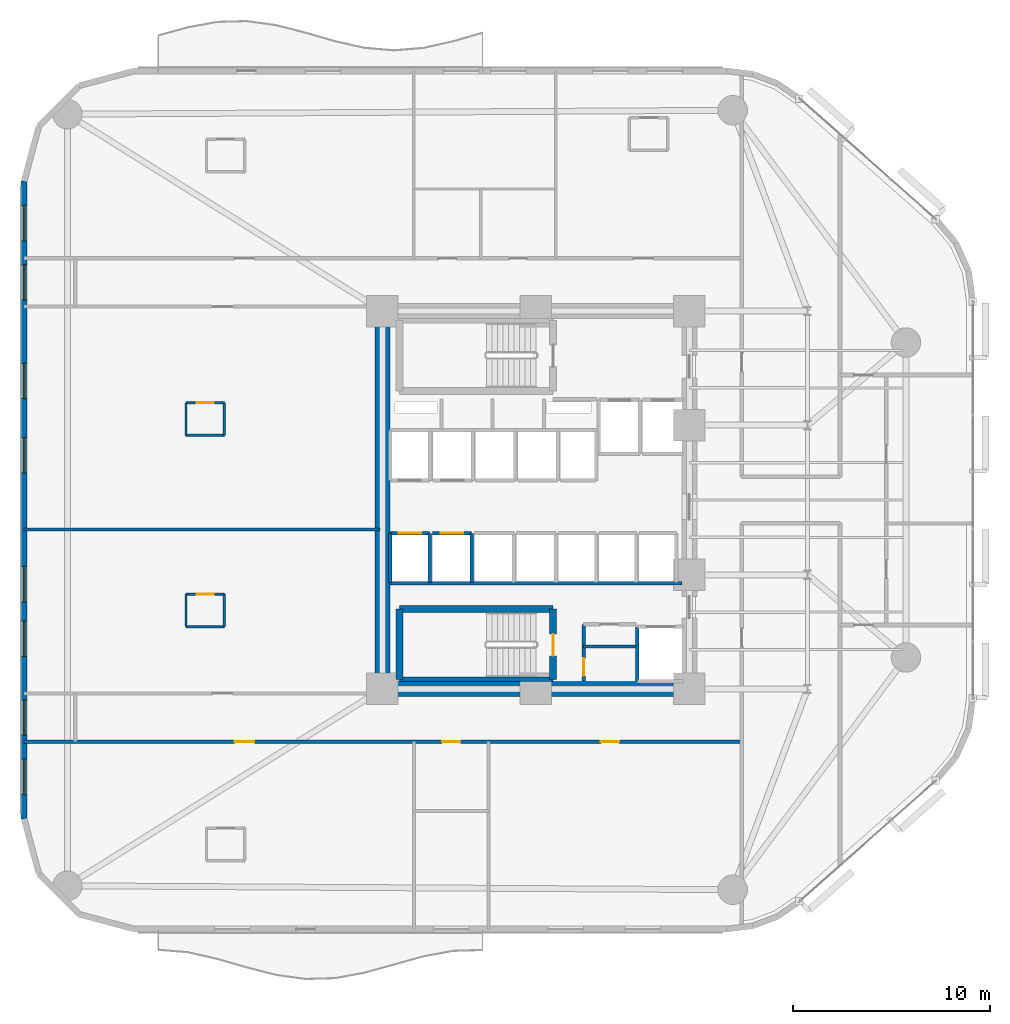
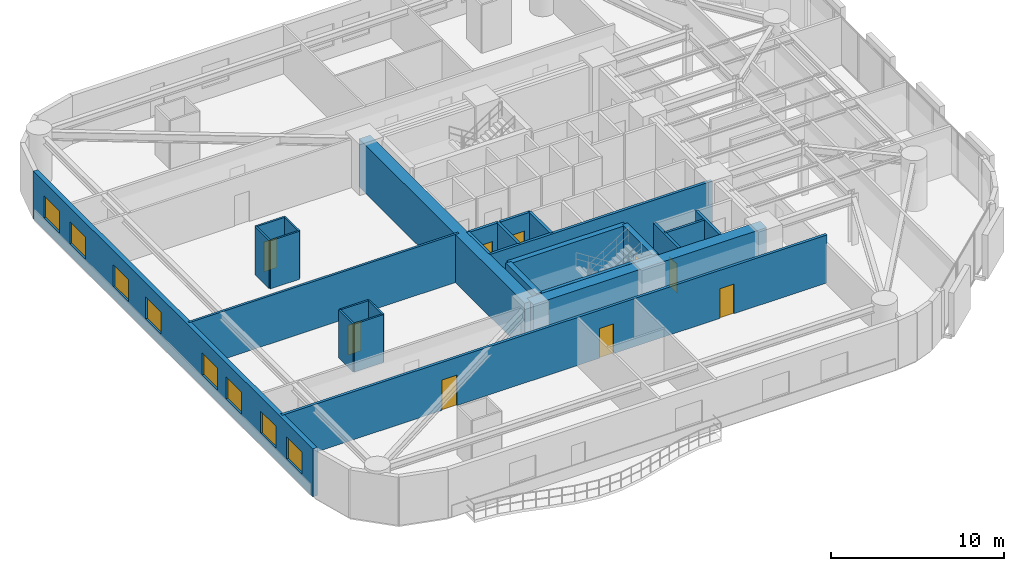
# One storey, part 10 of 16: 26 walls, 9 doors, 8 windows, 17 openings.
"""IFC4 building model written with IfcOpenShell, lengths in metres."""

from ifc_helpers import new_model, si_unit, direction, frame, frame_2d, origin, place, context, subcontext, project, spatial, rectangle, extrude, material, layer, layer_set, type_object, element, fill, save


model = new_model("IFC4")

# Units and contexts
model_context = context("Model", 3, precision=1e-05, world=origin(), true_north=direction((0.0, 1.0)))
body_context = subcontext(model_context, "Body", "Model", "MODEL_VIEW")
ifc_project = project(units=[si_unit("LENGTHUNIT", "METRE"), si_unit("AREAUNIT", "SQUARE_METRE"), si_unit("VOLUMEUNIT", "CUBIC_METRE"), si_unit("PLANEANGLEUNIT", "RADIAN"), si_unit("MASSUNIT", "GRAM", prefix="KILO")], contexts=[model_context])

# Site, building, storey
site_placement = place(None, origin())
site = spatial("IfcSite", under=ifc_project, at=site_placement, CompositionType="ELEMENT")
building_placement = place(site_placement, origin())
building = spatial("IfcBuilding", under=site, at=building_placement, Name="An Khanh Terracotta Commons", CompositionType="ELEMENT")
storey_placement = place(building_placement, frame((0.0, 0.0, 54.0)))
storey = spatial("IfcBuildingStorey", under=building, at=storey_placement, Name="L14", CompositionType="ELEMENT", Elevation=54.0)

# Walls
ifc_material_1 = material(Name="Concrete C70/85", Category="concrete")
ifc_layer_1 = layer(ifc_material_1, 0.75, Name="Concrete C70/85")
ifc_layer_set_1 = layer_set([ifc_layer_1], Name="Concrete C70/85")
wall_type_1 = type_object("IfcWallType", Name="WALL-CORE-750", PredefinedType="SHEAR", material=ifc_layer_set_1)
wall_1_placement = place(storey_placement, frame((21.60009765625, 14.39990234375, 0.0), z_axis=(0.0, 0.0, 1.0), x_axis=(0.0, 1.0, 0.0)))
element("IfcWall", 1, at=wall_1_placement, inside=storey, type_object=wall_type_1, Name="L14 Core Wall CWALL-L14-W", PredefinedType="SHEAR", context=body_context, shape_type="SweptSolid", body=[
    extrude(rectangle(XDim=19.2001953125, YDim=0.75, at=frame_2d((9.60009765625, 0.0))), origin(), (0.0, 0.0, 1.0), 3.39990234375),
])
wall_2_placement = place(storey_placement, frame((37.199951171875, 14.39990234375, 0.0), z_axis=(0.0, 0.0, 1.0), x_axis=(-1.0, 0.0, 0.0)))
element("IfcWall", 2, at=wall_2_placement, inside=storey, type_object=wall_type_1, Name="L14 Core Wall CWALL-L14-S", PredefinedType="SHEAR", context=body_context, shape_type="SweptSolid", body=[
    extrude(rectangle(XDim=15.599853515625, YDim=0.75, at=frame_2d((7.7998046875, 0.0))), origin(), (0.0, 0.0, 1.0), 3.39990234375),
])
ifc_material_2 = material(Name="Fire-Rated Gypsum Board on Steel Stud", Category="steel")
ifc_layer_2 = layer(ifc_material_2, 0.179931640625, Name="Fire-Rated Gypsum Board on Steel Stud")
ifc_layer_set_2 = layer_set([ifc_layer_2], Name="Fire-Rated Gypsum Board on Steel Stud")
wall_type_2 = type_object("IfcWallType", Name="WALL-CORR-180", PredefinedType="PARTITIONING", material=ifc_layer_set_2)
wall_3_placement = place(storey_placement, frame((21.949951171875, 19.760009765625, 0.0), z_axis=(0.0, 0.0, 1.0), x_axis=(1.0, 0.0, 0.0)))
element("IfcWall", 3, at=wall_3_placement, inside=storey, type_object=wall_type_2, Name="L14 Core Wall SVW-L14-N", PredefinedType="PARTITIONING", context=body_context, shape_type="SweptSolid", body=[
    extrude(rectangle(XDim=14.8701171875, YDim=0.179931640625, at=frame_2d((7.43505859375, 0.0))), origin(), (0.0, 0.0, 1.0), 3.39990234375),
])

# Wall, opening, door
wall_4_placement = place(storey_placement, frame((31.820068359375, 14.800048828125, 0.0), z_axis=(0.0, 0.0, 1.0), x_axis=(0.0, 1.0, 0.0)))
wall_4 = element("IfcWall", 4, at=wall_4_placement, inside=storey, type_object=wall_type_2, Name="L14 Core Wall SSVCW-L14-W", PredefinedType="PARTITIONING", context=body_context, shape_type="SweptSolid", body=[
    extrude(rectangle(XDim=2.8798828125, YDim=0.179931640625, at=frame_2d((1.43994140625, 0.0))), origin(), (0.0, 0.0, 1.0), 3.39990234375),
])
opening_1_placement = place(wall_4_placement, frame((0.260009765625, 0.0, 0.0)))
opening_1 = element("IfcOpeningElement", 5, at=opening_1_placement, cuts=wall_4, Name="Opening D-SV", PredefinedType="OPENING", context=body_context, shape_type="SweptSolid", body=[
    extrude(rectangle(XDim=0.89990234375, YDim=2.050048828125, at=frame_2d((0.449951171875, 1.02490234375))), frame((0.0, 0.099853515625, 0.0), z_axis=(0.0, -1.0, 0.0), x_axis=(1.0, 0.0, 0.0)), (0.0, 0.0, 1.0), 0.199951171875),
])
ifc_material_3 = material(Name="Fire-Rated Powder-Coated Steel Door", Category="steel")
door_type_1 = type_object("IfcDoorType", Name="DOOR-SERV-900", OperationType="NOTDEFINED", PredefinedType="DOOR", material=ifc_material_3)
door_1_placement = place(opening_1_placement, origin())
door_1 = element("IfcDoor", 6, at=door_1_placement, inside=storey, type_object=door_type_1, Name="L14 Telecoms BMS Cupboard Door", OperationType="SINGLE_SWING_LEFT", OverallHeight=2.050048828125, OverallWidth=0.89990234375, PredefinedType="DOOR", context=body_context, shape_type="SweptSolid", body=[
    extrude(rectangle(XDim=0.89990234375, YDim=2.050048828125, at=frame_2d((0.449951171875, 1.02490234375))), frame((0.0, 0.02490234375, 0.0), z_axis=(0.0, -1.0, 0.0), x_axis=(1.0, 0.0, 0.0)), (0.0, 0.0, 1.0), 0.050048828125),
])
fill(opening_1, door_1)

# Wall
wall_5_placement = place(storey_placement, frame((34.550048828125, 17.550048828125, 0.0), z_axis=(0.0, 0.0, 1.0), x_axis=(0.0, -1.0, 0.0)))
element("IfcWall", 7, at=wall_5_placement, inside=storey, type_object=wall_type_2, Name="L14 Core Wall LSH-L14-SVL-01-W", PredefinedType="PARTITIONING", context=body_context, shape_type="SweptSolid", body=[
    extrude(rectangle(XDim=2.75, YDim=0.179931640625, at=frame_2d((1.375, 0.0))), origin(), (0.0, 0.0, 1.0), 3.39990234375),
])

# Wall, opening, door
wall_6_placement = place(storey_placement, frame((22.0, 22.300048828125, 0.0), z_axis=(0.0, 0.0, 1.0), x_axis=(1.0, 0.0, 0.0)))
wall_6 = element("IfcWall", 8, at=wall_6_placement, inside=storey, type_object=wall_type_2, Name="L14 Core Wall LSH-L14-PL-L3-N", PredefinedType="PARTITIONING", context=body_context, shape_type="SweptSolid", body=[
    extrude(rectangle(XDim=2.0, YDim=0.179931640625, at=frame_2d((1.0, 0.0))), origin(), (0.0, 0.0, 1.0), 3.39990234375),
])
opening_2_placement = place(wall_6_placement, frame((0.425048828125, 0.0, 0.0)))
opening_2 = element("IfcOpeningElement", 9, at=opening_2_placement, cuts=wall_6, Name="Opening LD-PL-L3-L14", PredefinedType="OPENING", context=body_context, shape_type="SweptSolid", body=[
    extrude(rectangle(XDim=1.14990234375, YDim=2.199951171875, at=frame_2d((0.574951171875, 1.10009765625))), frame((0.0, 0.099853515625, 0.0), z_axis=(0.0, -1.0, 0.0), x_axis=(1.0, 0.0, 0.0)), (0.0, 0.0, 1.0), 0.199951171875),
])
ifc_material_4 = material(Name="Brushed Stainless Steel Passenger Landing Door", Category="steel")
door_type_2 = type_object("IfcDoorType", Name="DOOR-LD-PAX-1150", OperationType="NOTDEFINED", PredefinedType="DOOR", material=ifc_material_4)
door_2_placement = place(opening_2_placement, origin())
door_2 = element("IfcDoor", 10, at=door_2_placement, inside=storey, type_object=door_type_2, Name="L14 Lift PL-L3 Sliding Landing Door", OperationType="DOUBLE_DOOR_SLIDING", OverallHeight=2.199951171875, OverallWidth=1.14990234375, PredefinedType="DOOR", context=body_context, shape_type="SweptSolid", body=[
    extrude(rectangle(XDim=1.14990234375, YDim=2.199951171875, at=frame_2d((0.574951171875, 1.10009765625))), frame((0.0, 0.02490234375, 0.0), z_axis=(0.0, -1.0, 0.0), x_axis=(1.0, 0.0, 0.0)), (0.0, 0.0, 1.0), 0.050048828125),
])
fill(opening_2, door_2)

# Walls
for number, where, z_axis, x_axis, name in (
    (11, (24.0, 19.800048828125, 0.0), (0.0, 0.0, 1.0), (0.0, 1.0, 0.0), "L14 Core Wall LSH-L14-PL-L3-E"),
    (12, (22.0, 22.300048828125, 0.0), (0.0, 0.0, 1.0), (0.0, -1.0, 0.0), "L14 Core Wall LSH-L14-PL-L3-W"),
):
    element("IfcWall", number, at=place(storey_placement, frame(where, z_axis=z_axis, x_axis=x_axis)), inside=storey, type_object=wall_type_2, Name=name, PredefinedType="PARTITIONING", context=body_context, shape_type="SweptSolid", body=[
        extrude(rectangle(XDim=2.5, YDim=0.179931640625, at=frame_2d((1.25, 0.0))), origin(), (0.0, 0.0, 1.0), 3.39990234375),
    ])

# Wall, opening, door
wall_7_placement = place(storey_placement, frame((24.139892578125, 22.300048828125, 0.0), z_axis=(0.0, 0.0, 1.0), x_axis=(1.0, 0.0, 0.0)))
wall_7 = element("IfcWall", 13, at=wall_7_placement, inside=storey, type_object=wall_type_2, Name="L14 Core Wall LSH-L14-PL-L4-N", PredefinedType="PARTITIONING", context=body_context, shape_type="SweptSolid", body=[
    extrude(rectangle(XDim=2.0, YDim=0.179931640625, at=frame_2d((1.0, 0.0))), origin(), (0.0, 0.0, 1.0), 3.39990234375),
])
opening_3_placement = place(wall_7_placement, frame((0.425048828125, 0.0, 0.0)))
opening_3 = element("IfcOpeningElement", 14, at=opening_3_placement, cuts=wall_7, Name="Opening LD-PL-L4-L14", PredefinedType="OPENING", context=body_context, shape_type="SweptSolid", body=[
    extrude(rectangle(XDim=1.14990234375, YDim=2.199951171875, at=frame_2d((0.574951171875, 1.10009765625))), frame((0.0, 0.099853515625, 0.0), z_axis=(0.0, -1.0, 0.0), x_axis=(1.0, 0.0, 0.0)), (0.0, 0.0, 1.0), 0.199951171875),
])
door_3_placement = place(opening_3_placement, origin())
door_3 = element("IfcDoor", 15, at=door_3_placement, inside=storey, type_object=door_type_2, Name="L14 Lift PL-L4 Sliding Landing Door", OperationType="DOUBLE_DOOR_SLIDING", OverallHeight=2.199951171875, OverallWidth=1.14990234375, PredefinedType="DOOR", context=body_context, shape_type="SweptSolid", body=[
    extrude(rectangle(XDim=1.14990234375, YDim=2.199951171875, at=frame_2d((0.574951171875, 1.10009765625))), frame((0.0, 0.02490234375, 0.0), z_axis=(0.0, -1.0, 0.0), x_axis=(1.0, 0.0, 0.0)), (0.0, 0.0, 1.0), 0.050048828125),
])
fill(opening_3, door_3)

# Wall
wall_8_placement = place(storey_placement, frame((26.139892578125, 19.800048828125, 0.0), z_axis=(0.0, 0.0, 1.0), x_axis=(0.0, 1.0, 0.0)))
element("IfcWall", 16, at=wall_8_placement, inside=storey, type_object=wall_type_2, Name="L14 Core Wall LSH-L14-PL-L4-E", PredefinedType="PARTITIONING", context=body_context, shape_type="SweptSolid", body=[
    extrude(rectangle(XDim=2.5, YDim=0.179931640625, at=frame_2d((1.25, 0.0))), origin(), (0.0, 0.0, 1.0), 3.39990234375),
])

# Wall, openings, doors
wall_9_placement = place(storey_placement, frame((3.39990234375, 11.719970703125, 0.0), z_axis=(0.0, 0.0, 1.0), x_axis=(1.0, 0.0, 0.0)))
wall_9 = element("IfcWall", 17, at=wall_9_placement, inside=storey, type_object=wall_type_2, Name="L14 Interior Partition IW-L14-E002", PredefinedType="PARTITIONING", context=body_context, shape_type="SweptSolid", body=[
    extrude(rectangle(XDim=36.4501953125, YDim=0.179931640625, at=frame_2d((18.22509765625, 0.0))), origin(), (0.0, 0.0, 1.0), 3.39990234375),
])
opening_4_placement = place(wall_9_placement, frame((21.239990234375, 0.0, 0.0)))
opening_4 = element("IfcOpeningElement", 18, at=opening_4_placement, cuts=wall_9, Name="Opening D-RM", PredefinedType="OPENING", context=body_context, shape_type="SweptSolid", body=[
    extrude(rectangle(XDim=0.919921875, YDim=2.10009765625, at=frame_2d((0.4599609375, 1.050048828125))), frame((0.0, 0.099853515625, 0.0), z_axis=(0.0, -1.0, 0.0), x_axis=(1.0, 0.0, 0.0)), (0.0, 0.0, 1.0), 0.199951171875),
])
opening_5_placement = place(wall_9_placement, frame((10.699951171875, 0.0, 0.0)))
opening_5 = element("IfcOpeningElement", 19, at=opening_5_placement, cuts=wall_9, Name="Opening D-UN", PredefinedType="OPENING", context=body_context, shape_type="SweptSolid", body=[
    extrude(rectangle(XDim=1.0, YDim=2.14990234375, at=frame_2d((0.5, 1.074951171875))), frame((0.0, 0.099853515625, 0.0), z_axis=(0.0, -1.0, 0.0), x_axis=(1.0, 0.0, 0.0)), (0.0, 0.0, 1.0), 0.199951171875),
])
opening_6_placement = place(wall_9_placement, frame((29.304931640625, 0.0, 0.0)))
opening_6 = element("IfcOpeningElement", 20, at=opening_6_placement, cuts=wall_9, Name="Opening D-RM", PredefinedType="OPENING", context=body_context, shape_type="SweptSolid", body=[
    extrude(rectangle(XDim=0.919921875, YDim=2.10009765625, at=frame_2d((0.4599609375, 1.050048828125))), frame((0.0, 0.099853515625, 0.0), z_axis=(0.0, -1.0, 0.0), x_axis=(1.0, 0.0, 0.0)), (0.0, 0.0, 1.0), 0.199951171875),
])
ifc_material_5 = material(Name="Engineered Hardwood Timber Leaf", Category="wood")
door_type_3 = type_object("IfcDoorType", Name="DOOR-INT-920", OperationType="NOTDEFINED", PredefinedType="DOOR", material=ifc_material_5)
door_4_placement = place(opening_4_placement, origin())
door_4 = element("IfcDoor", 21, at=door_4_placement, inside=storey, type_object=door_type_3, Name="L14 HKP Housekeeping Linen Store Door", OperationType="SINGLE_SWING_LEFT", OverallHeight=2.10009765625, OverallWidth=0.919921875, PredefinedType="DOOR", context=body_context, shape_type="SweptSolid", body=[
    extrude(rectangle(XDim=0.919921875, YDim=2.10009765625, at=frame_2d((0.4599609375, 1.050048828125))), frame((0.0, 0.02490234375, 0.0), z_axis=(0.0, -1.0, 0.0), x_axis=(1.0, 0.0, 0.0)), (0.0, 0.0, 1.0), 0.050048828125),
])
fill(opening_4, door_4)
door_5_placement = place(opening_6_placement, origin())
door_5 = element("IfcDoor", 22, at=door_5_placement, inside=storey, type_object=door_type_3, Name="L14 SWE Communal Kitchen and Dining Door", OperationType="SINGLE_SWING_LEFT", OverallHeight=2.10009765625, OverallWidth=0.919921875, PredefinedType="DOOR", context=body_context, shape_type="SweptSolid", body=[
    extrude(rectangle(XDim=0.919921875, YDim=2.10009765625, at=frame_2d((0.4599609375, 1.050048828125))), frame((0.0, 0.02490234375, 0.0), z_axis=(0.0, -1.0, 0.0), x_axis=(1.0, 0.0, 0.0)), (0.0, 0.0, 1.0), 0.050048828125),
])
fill(opening_6, door_5)
ifc_material_6 = material(Name="Solid-Core Hardwood Acoustic Fire Door", Category="wood")
door_type_4 = type_object("IfcDoorType", Name="DOOR-UNIT-1000", OperationType="NOTDEFINED", PredefinedType="DOOR", material=ifc_material_6)
door_6_placement = place(opening_5_placement, origin())
door_6 = element("IfcDoor", 23, at=door_6_placement, inside=storey, type_object=door_type_4, Name="L14 SW1 Kitchenette and Studio Apartment Door", OperationType="SINGLE_SWING_RIGHT", OverallHeight=2.14990234375, OverallWidth=1.0, PredefinedType="DOOR", context=body_context, shape_type="SweptSolid", body=[
    extrude(rectangle(XDim=1.0, YDim=2.14990234375, at=frame_2d((0.5, 1.074951171875))), frame((0.0, 0.02490234375, 0.0), z_axis=(0.0, -1.0, 0.0), x_axis=(1.0, 0.0, 0.0)), (0.0, 0.0, 1.0), 0.050048828125),
])
fill(opening_5, door_6)

# Wall, openings, windows
ifc_material_7 = material(Name="Precast concrete C40/50", Category="concrete")
ifc_layer_3 = layer(ifc_material_7, 0.300048828125, Name="Precast concrete C40/50")
ifc_layer_set_3 = layer_set([ifc_layer_3], Name="Precast concrete C40/50")
wall_type_3 = type_object("IfcWallType", Name="WALL-EXT-300", PredefinedType="SOLIDWALL", material=ifc_layer_set_3)
wall_10_placement = place(storey_placement, frame((3.39990234375, 40.199951171875, 0.0), z_axis=(0.0, 0.0, 1.0), x_axis=(0.0, -1.0, 0.0)))
wall_10 = element("IfcWall", 24, at=wall_10_placement, inside=storey, type_object=wall_type_3, Name="L14 Insulated Terracotta Exterior Wall 24", PredefinedType="SOLIDWALL", context=body_context, shape_type="SweptSolid", body=[
    extrude(rectangle(XDim=32.39990234375, YDim=0.300048828125, at=frame_2d((16.199951171875, 0.0))), origin(), (0.0, 0.0, 1.0), 3.39990234375),
])
opening_7_placement = place(wall_10_placement, frame((1.235107421875, 0.0, 0.85009765625)))
opening_7 = element("IfcOpeningElement", 25, at=opening_7_placement, cuts=wall_10, Name="Opening W-01", PredefinedType="OPENING", context=body_context, shape_type="SweptSolid", body=[
    extrude(rectangle(XDim=1.800048828125, YDim=1.550048828125, at=frame_2d((0.89990234375, 0.77490234375))), frame((0.0, 0.159912109375, 0.0), z_axis=(0.0, -1.0, 0.0), x_axis=(1.0, 0.0, 0.0)), (0.0, 0.0, 1.0), 0.320068359375),
])
opening_8_placement = place(wall_10_placement, frame((4.25, 0.0, 0.85009765625)))
opening_8 = element("IfcOpeningElement", 26, at=opening_8_placement, cuts=wall_10, Name="Opening W-01", PredefinedType="OPENING", context=body_context, shape_type="SweptSolid", body=[
    extrude(rectangle(XDim=1.800048828125, YDim=1.550048828125, at=frame_2d((0.89990234375, 0.77490234375))), frame((0.0, 0.159912109375, 0.0), z_axis=(0.0, -1.0, 0.0), x_axis=(1.0, 0.0, 0.0)), (0.0, 0.0, 1.0), 0.320068359375),
])
opening_9_placement = place(wall_10_placement, frame((9.2529296875, 0.0, 0.85009765625)))
opening_9 = element("IfcOpeningElement", 27, at=opening_9_placement, cuts=wall_10, Name="Opening W-01", PredefinedType="OPENING", context=body_context, shape_type="SweptSolid", body=[
    extrude(rectangle(XDim=1.800048828125, YDim=1.550048828125, at=frame_2d((0.89990234375, 0.77490234375))), frame((0.0, 0.159912109375, 0.0), z_axis=(0.0, -1.0, 0.0), x_axis=(1.0, 0.0, 0.0)), (0.0, 0.0, 1.0), 0.320068359375),
])
opening_10_placement = place(wall_10_placement, frame((13.027099609375, 0.0, 0.85009765625)))
opening_10 = element("IfcOpeningElement", 28, at=opening_10_placement, cuts=wall_10, Name="Opening W-01", PredefinedType="OPENING", context=body_context, shape_type="SweptSolid", body=[
    extrude(rectangle(XDim=1.800048828125, YDim=1.550048828125, at=frame_2d((0.89990234375, 0.77490234375))), frame((0.0, 0.159912109375, 0.0), z_axis=(0.0, -1.0, 0.0), x_axis=(1.0, 0.0, 0.0)), (0.0, 0.0, 1.0), 0.320068359375),
])
opening_11_placement = place(wall_10_placement, frame((19.572998046875, 0.0, 0.85009765625)))
opening_11 = element("IfcOpeningElement", 29, at=opening_11_placement, cuts=wall_10, Name="Opening W-01", PredefinedType="OPENING", context=body_context, shape_type="SweptSolid", body=[
    extrude(rectangle(XDim=1.800048828125, YDim=1.550048828125, at=frame_2d((0.89990234375, 0.77490234375))), frame((0.0, 0.159912109375, 0.0), z_axis=(0.0, -1.0, 0.0), x_axis=(1.0, 0.0, 0.0)), (0.0, 0.0, 1.0), 0.320068359375),
])
opening_12_placement = place(wall_10_placement, frame((22.346923828125, 0.0, 0.85009765625)))
opening_12 = element("IfcOpeningElement", 30, at=opening_12_placement, cuts=wall_10, Name="Opening W-01", PredefinedType="OPENING", context=body_context, shape_type="SweptSolid", body=[
    extrude(rectangle(XDim=1.800048828125, YDim=1.550048828125, at=frame_2d((0.89990234375, 0.77490234375))), frame((0.0, 0.159912109375, 0.0), z_axis=(0.0, -1.0, 0.0), x_axis=(1.0, 0.0, 0.0)), (0.0, 0.0, 1.0), 0.320068359375),
])
opening_13_placement = place(wall_10_placement, frame((26.35009765625, 0.0, 0.85009765625)))
opening_13 = element("IfcOpeningElement", 31, at=opening_13_placement, cuts=wall_10, Name="Opening W-01", PredefinedType="OPENING", context=body_context, shape_type="SweptSolid", body=[
    extrude(rectangle(XDim=1.800048828125, YDim=1.550048828125, at=frame_2d((0.89990234375, 0.77490234375))), frame((0.0, 0.159912109375, 0.0), z_axis=(0.0, -1.0, 0.0), x_axis=(1.0, 0.0, 0.0)), (0.0, 0.0, 1.0), 0.320068359375),
])
opening_14_placement = place(wall_10_placement, frame((29.364990234375, 0.0, 0.85009765625)))
opening_14 = element("IfcOpeningElement", 32, at=opening_14_placement, cuts=wall_10, Name="Opening W-01", PredefinedType="OPENING", context=body_context, shape_type="SweptSolid", body=[
    extrude(rectangle(XDim=1.800048828125, YDim=1.550048828125, at=frame_2d((0.89990234375, 0.77490234375))), frame((0.0, 0.159912109375, 0.0), z_axis=(0.0, -1.0, 0.0), x_axis=(1.0, 0.0, 0.0)), (0.0, 0.0, 1.0), 0.320068359375),
])
ifc_material_8 = material(Name="Thermally Broken Aluminium and Low-E Glass", Category="aluminium")
window_type = type_object("IfcWindowType", Name="WIN-Z1-1800x1550", PartitioningType="DOUBLE_PANEL_VERTICAL", PredefinedType="WINDOW", material=ifc_material_8)
window_1_placement = place(opening_7_placement, origin())
window_1 = element("IfcWindow", 33, at=window_1_placement, inside=storey, type_object=window_type, Name="L14 Operable Casement Window 24.1", OverallHeight=1.550048828125, OverallWidth=1.800048828125, PartitioningType="DOUBLE_PANEL_VERTICAL", PredefinedType="WINDOW", context=body_context, shape_type="SweptSolid", body=[
    extrude(rectangle(XDim=1.800048828125, YDim=1.550048828125, at=frame_2d((0.89990234375, 0.77490234375))), frame((0.0, 0.030029296875, 0.0), z_axis=(0.0, -1.0, 0.0), x_axis=(1.0, 0.0, 0.0)), (0.0, 0.0, 1.0), 0.06005859375),
])
fill(opening_7, window_1)
window_2_placement = place(opening_8_placement, origin())
window_2 = element("IfcWindow", 34, at=window_2_placement, inside=storey, type_object=window_type, Name="L14 Operable Casement Window 24.2", OverallHeight=1.550048828125, OverallWidth=1.800048828125, PartitioningType="DOUBLE_PANEL_VERTICAL", PredefinedType="WINDOW", context=body_context, shape_type="SweptSolid", body=[
    extrude(rectangle(XDim=1.800048828125, YDim=1.550048828125, at=frame_2d((0.89990234375, 0.77490234375))), frame((0.0, 0.030029296875, 0.0), z_axis=(0.0, -1.0, 0.0), x_axis=(1.0, 0.0, 0.0)), (0.0, 0.0, 1.0), 0.06005859375),
])
fill(opening_8, window_2)
window_3_placement = place(opening_9_placement, origin())
window_3 = element("IfcWindow", 35, at=window_3_placement, inside=storey, type_object=window_type, Name="L14 Operable Casement Window 24.3", OverallHeight=1.550048828125, OverallWidth=1.800048828125, PartitioningType="DOUBLE_PANEL_VERTICAL", PredefinedType="WINDOW", context=body_context, shape_type="SweptSolid", body=[
    extrude(rectangle(XDim=1.800048828125, YDim=1.550048828125, at=frame_2d((0.89990234375, 0.77490234375))), frame((0.0, 0.030029296875, 0.0), z_axis=(0.0, -1.0, 0.0), x_axis=(1.0, 0.0, 0.0)), (0.0, 0.0, 1.0), 0.06005859375),
])
fill(opening_9, window_3)
window_4_placement = place(opening_10_placement, origin())
window_4 = element("IfcWindow", 36, at=window_4_placement, inside=storey, type_object=window_type, Name="L14 Operable Casement Window 24.4", OverallHeight=1.550048828125, OverallWidth=1.800048828125, PartitioningType="DOUBLE_PANEL_VERTICAL", PredefinedType="WINDOW", context=body_context, shape_type="SweptSolid", body=[
    extrude(rectangle(XDim=1.800048828125, YDim=1.550048828125, at=frame_2d((0.89990234375, 0.77490234375))), frame((0.0, 0.030029296875, 0.0), z_axis=(0.0, -1.0, 0.0), x_axis=(1.0, 0.0, 0.0)), (0.0, 0.0, 1.0), 0.06005859375),
])
fill(opening_10, window_4)
window_5_placement = place(opening_11_placement, origin())
window_5 = element("IfcWindow", 37, at=window_5_placement, inside=storey, type_object=window_type, Name="L14 Operable Casement Window 24.5", OverallHeight=1.550048828125, OverallWidth=1.800048828125, PartitioningType="DOUBLE_PANEL_VERTICAL", PredefinedType="WINDOW", context=body_context, shape_type="SweptSolid", body=[
    extrude(rectangle(XDim=1.800048828125, YDim=1.550048828125, at=frame_2d((0.89990234375, 0.77490234375))), frame((0.0, 0.030029296875, 0.0), z_axis=(0.0, -1.0, 0.0), x_axis=(1.0, 0.0, 0.0)), (0.0, 0.0, 1.0), 0.06005859375),
])
fill(opening_11, window_5)
window_6_placement = place(opening_12_placement, origin())
window_6 = element("IfcWindow", 38, at=window_6_placement, inside=storey, type_object=window_type, Name="L14 Operable Casement Window 24.6", OverallHeight=1.550048828125, OverallWidth=1.800048828125, PartitioningType="DOUBLE_PANEL_VERTICAL", PredefinedType="WINDOW", context=body_context, shape_type="SweptSolid", body=[
    extrude(rectangle(XDim=1.800048828125, YDim=1.550048828125, at=frame_2d((0.89990234375, 0.77490234375))), frame((0.0, 0.030029296875, 0.0), z_axis=(0.0, -1.0, 0.0), x_axis=(1.0, 0.0, 0.0)), (0.0, 0.0, 1.0), 0.06005859375),
])
fill(opening_12, window_6)
window_7_placement = place(opening_13_placement, origin())
window_7 = element("IfcWindow", 39, at=window_7_placement, inside=storey, type_object=window_type, Name="L14 Operable Casement Window 24.7", OverallHeight=1.550048828125, OverallWidth=1.800048828125, PartitioningType="DOUBLE_PANEL_VERTICAL", PredefinedType="WINDOW", context=body_context, shape_type="SweptSolid", body=[
    extrude(rectangle(XDim=1.800048828125, YDim=1.550048828125, at=frame_2d((0.89990234375, 0.77490234375))), frame((0.0, 0.030029296875, 0.0), z_axis=(0.0, -1.0, 0.0), x_axis=(1.0, 0.0, 0.0)), (0.0, 0.0, 1.0), 0.06005859375),
])
fill(opening_13, window_7)
window_8_placement = place(opening_14_placement, origin())
window_8 = element("IfcWindow", 40, at=window_8_placement, inside=storey, type_object=window_type, Name="L14 Operable Casement Window 24.8", OverallHeight=1.550048828125, OverallWidth=1.800048828125, PartitioningType="DOUBLE_PANEL_VERTICAL", PredefinedType="WINDOW", context=body_context, shape_type="SweptSolid", body=[
    extrude(rectangle(XDim=1.800048828125, YDim=1.550048828125, at=frame_2d((0.89990234375, 0.77490234375))), frame((0.0, 0.030029296875, 0.0), z_axis=(0.0, -1.0, 0.0), x_axis=(1.0, 0.0, 0.0)), (0.0, 0.0, 1.0), 0.06005859375),
])
fill(opening_14, window_8)

# Walls
ifc_material_9 = material(Name="Acoustic Gypsum Board Partition")
ifc_layer_4 = layer(ifc_material_9, 0.14990234375, Name="Acoustic Gypsum Board Partition")
ifc_layer_set_4 = layer_set([ifc_layer_4], Name="Acoustic Gypsum Board Partition")
wall_type_4 = type_object("IfcWallType", Name="WALL-PART-150", PredefinedType="PARTITIONING", material=ifc_layer_set_4)
wall_11_placement = place(storey_placement, frame((31.820068359375, 16.550048828125, 0.0), z_axis=(0.0, 0.0, 1.0), x_axis=(1.0, 0.0, 0.0)))
element("IfcWall", 41, at=wall_11_placement, inside=storey, type_object=wall_type_4, Name="L14 Core Wall SSVCW-L14-M", PredefinedType="PARTITIONING", context=body_context, shape_type="SweptSolid", body=[
    extrude(rectangle(XDim=2.659912109375, YDim=0.14990234375, at=frame_2d((1.330078125, 0.0))), origin(), (0.0, 0.0, 1.0), 3.39990234375),
])
wall_12_placement = place(storey_placement, frame((3.39990234375, 22.5, 0.0), z_axis=(0.0, 0.0, 1.0), x_axis=(1.0, 0.0, 0.0)))
element("IfcWall", 42, at=wall_12_placement, inside=storey, type_object=wall_type_4, Name="L14 Interior Partition IW-L14-E005", PredefinedType="PARTITIONING", context=body_context, shape_type="SweptSolid", body=[
    extrude(rectangle(XDim=18.080078125, YDim=0.14990234375, at=frame_2d((9.0400390625, 0.0))), origin(), (0.0, 0.0, 1.0), 3.39990234375),
])
ifc_material_10 = material(Name="Acoustic Double-Stud Gypsum and Mineral Wool")
ifc_layer_5 = layer(ifc_material_10, 0.219970703125, Name="Acoustic Double-Stud Gypsum and Mineral Wool")
ifc_layer_set_5 = layer_set([ifc_layer_5], Name="Acoustic Double-Stud Gypsum and Mineral Wool")
wall_type_5 = type_object("IfcWallType", Name="WALL-PARTY-220", PredefinedType="PARTITIONING", material=ifc_layer_set_5)
wall_13_placement = place(storey_placement, frame((22.47998046875, 14.889892578125, 0.0), z_axis=(0.0, 0.0, 1.0), x_axis=(1.0, 0.0, 0.0)))
element("IfcWall", 43, at=wall_13_placement, inside=storey, type_object=wall_type_5, Name="L14 Core Wall STW-L14-S-S", PredefinedType="PARTITIONING", context=body_context, shape_type="SweptSolid", body=[
    extrude(rectangle(XDim=7.7900390625, YDim=0.219970703125, at=frame_2d((3.89501953125, 0.0))), origin(), (0.0, 0.0, 1.0), 3.39990234375),
])
ifc_material_11 = material(Name="Concrete C50/60", Category="concrete")
ifc_layer_6 = layer(ifc_material_11, 0.35009765625, Name="Concrete C50/60")
ifc_layer_set_6 = layer_set([ifc_layer_6], Name="Concrete C50/60")
wall_type_6 = type_object("IfcWallType", Name="WALL-SHAFT-350", PredefinedType="SOLIDWALL", material=ifc_layer_set_6)
wall_14_placement = place(storey_placement, frame((22.47998046875, 18.469970703125, 0.0), z_axis=(0.0, 0.0, 1.0), x_axis=(1.0, 0.0, 0.0)))
element("IfcWall", 44, at=wall_14_placement, inside=storey, type_object=wall_type_6, Name="L14 Core Wall STW-L14-S-N", PredefinedType="SOLIDWALL", context=body_context, shape_type="SweptSolid", body=[
    extrude(rectangle(XDim=7.7900390625, YDim=0.35009765625, at=frame_2d((3.89501953125, 0.0))), origin(), (0.0, 0.0, 1.0), 3.39990234375),
])
wall_15_placement = place(storey_placement, frame((22.47998046875, 14.889892578125, 0.0), z_axis=(0.0, 0.0, 1.0), x_axis=(0.0, 1.0, 0.0)))
element("IfcWall", 45, at=wall_15_placement, inside=storey, type_object=wall_type_6, Name="L14 Core Wall STW-L14-S-W", PredefinedType="SOLIDWALL", context=body_context, shape_type="SweptSolid", body=[
    extrude(rectangle(XDim=3.580078125, YDim=0.35009765625, at=frame_2d((1.7900390625, 0.0))), origin(), (0.0, 0.0, 1.0), 3.39990234375),
])

# Wall, opening, door
wall_16_placement = place(storey_placement, frame((30.27001953125, 14.889892578125, 0.0), z_axis=(0.0, 0.0, 1.0), x_axis=(0.0, 1.0, 0.0)))
wall_16 = element("IfcWall", 46, at=wall_16_placement, inside=storey, type_object=wall_type_6, Name="L14 Core Wall STW-L14-S-E", PredefinedType="SOLIDWALL", context=body_context, shape_type="SweptSolid", body=[
    extrude(rectangle(XDim=3.580078125, YDim=0.35009765625, at=frame_2d((1.7900390625, 0.0))), origin(), (0.0, 0.0, 1.0), 3.39990234375),
])
opening_15_placement = place(wall_16_placement, frame((1.18994140625, 0.0, 0.0)))
opening_15 = element("IfcOpeningElement", 47, at=opening_15_placement, cuts=wall_16, Name="Opening D-ST", PredefinedType="OPENING", context=body_context, shape_type="SweptSolid", body=[
    extrude(rectangle(XDim=1.10009765625, YDim=2.14990234375, at=frame_2d((0.550048828125, 1.074951171875))), frame((0.0, 0.18505859375, 0.0), z_axis=(0.0, -1.0, 0.0), x_axis=(1.0, 0.0, 0.0)), (0.0, 0.0, 1.0), 0.3701171875),
])
ifc_material_12 = material(Name="Fire-Rated Steel Leaf and Frame", Category="steel")
door_type_5 = type_object("IfcDoorType", Name="DOOR-STAIR-1100", OperationType="NOTDEFINED", PredefinedType="DOOR", material=ifc_material_12)
door_7_placement = place(opening_15_placement, origin())
door_7 = element("IfcDoor", 48, at=door_7_placement, inside=storey, type_object=door_type_5, Name="L14 Stair ST-02 Fire Door", OperationType="SINGLE_SWING_LEFT", OverallHeight=2.14990234375, OverallWidth=1.10009765625, PredefinedType="DOOR", context=body_context, shape_type="SweptSolid", body=[
    extrude(rectangle(XDim=1.10009765625, YDim=2.14990234375, at=frame_2d((0.550048828125, 1.074951171875))), frame((0.0, 0.02490234375, 0.0), z_axis=(0.0, -1.0, 0.0), x_axis=(1.0, 0.0, 0.0)), (0.0, 0.0, 1.0), 0.050048828125),
])
fill(opening_15, door_7)

ifc_material_13 = material(Name="Moisture-Resistant Cement Board Partition")
ifc_layer_7 = layer(ifc_material_13, 0.1201171875, Name="Moisture-Resistant Cement Board Partition")
ifc_layer_set_7 = layer_set([ifc_layer_7], Name="Moisture-Resistant Cement Board Partition")
wall_type_7 = type_object("IfcWallType", Name="WALL-WET-120", PredefinedType="PARTITIONING", material=ifc_layer_set_7)
wall_17_placement = place(storey_placement, frame((11.625, 19.215087890625, 0.0), z_axis=(0.0, 0.0, 1.0), x_axis=(1.0, 0.0, 0.0)))
wall_17 = element("IfcWall", 49, at=wall_17_placement, inside=storey, type_object=wall_type_7, Name="L14 Interior Partition IW-L14-WW1-BN", PredefinedType="PARTITIONING", context=body_context, shape_type="SweptSolid", body=[
    extrude(rectangle(XDim=1.949951171875, YDim=0.1201171875, at=frame_2d((0.97509765625, 0.0))), origin(), (0.0, 0.0, 1.0), 3.39990234375),
])
opening_16_placement = place(wall_17_placement, frame((0.544921875, 0.0, 0.0)))
opening_16 = element("IfcOpeningElement", 50, at=opening_16_placement, cuts=wall_17, Name="Opening D-ENS", PredefinedType="OPENING", context=body_context, shape_type="SweptSolid", body=[
    extrude(rectangle(XDim=0.860107421875, YDim=2.10009765625, at=frame_2d((0.43017578125, 1.050048828125))), frame((0.0, 0.070068359375, 0.0), z_axis=(0.0, -1.0, 0.0), x_axis=(1.0, 0.0, 0.0)), (0.0, 0.0, 1.0), 0.14013671875),
])
ifc_material_14 = material(Name="Moisture-Resistant Hardwood Timber Leaf", Category="wood")
door_type_6 = type_object("IfcDoorType", Name="DOOR-BATH-860", OperationType="NOTDEFINED", PredefinedType="DOOR", material=ifc_material_14)
door_8_placement = place(opening_16_placement, origin())
door_8 = element("IfcDoor", 51, at=door_8_placement, inside=storey, type_object=door_type_6, Name="L14 Studio WW1 En-suite Door", OperationType="SINGLE_SWING_LEFT", OverallHeight=2.10009765625, OverallWidth=0.860107421875, PredefinedType="DOOR", context=body_context, shape_type="SweptSolid", body=[
    extrude(rectangle(XDim=0.860107421875, YDim=2.10009765625, at=frame_2d((0.43017578125, 1.050048828125))), frame((0.0, 0.02490234375, 0.0), z_axis=(0.0, -1.0, 0.0), x_axis=(1.0, 0.0, 0.0)), (0.0, 0.0, 1.0), 0.050048828125),
])
fill(opening_16, door_8)

# Walls
wall_18_placement = place(storey_placement, frame((13.574951171875, 17.56494140625, 0.0), z_axis=(0.0, 0.0, 1.0), x_axis=(-1.0, 0.0, 0.0)))
element("IfcWall", 52, at=wall_18_placement, inside=storey, type_object=wall_type_7, Name="L14 Interior Partition IW-L14-WW1-BS", PredefinedType="PARTITIONING", context=body_context, shape_type="SweptSolid", body=[
    extrude(rectangle(XDim=1.949951171875, YDim=0.1201171875, at=frame_2d((0.97509765625, 0.0))), origin(), (0.0, 0.0, 1.0), 3.39990234375),
])
for number, where, z_axis, x_axis, name in (
    (53, (11.625, 19.215087890625, 0.0), (0.0, 0.0, 1.0), (0.0, -1.0, 0.0), "L14 Interior Partition IW-L14-WW1-BW"),
    (54, (13.574951171875, 17.56494140625, 0.0), (0.0, 0.0, 1.0), (0.0, 1.0, 0.0), "L14 Interior Partition IW-L14-WW1-BE"),
):
    element("IfcWall", number, at=place(storey_placement, frame(where, z_axis=z_axis, x_axis=x_axis)), inside=storey, type_object=wall_type_7, Name=name, PredefinedType="PARTITIONING", context=body_context, shape_type="SweptSolid", body=[
        extrude(rectangle(XDim=1.650146484375, YDim=0.1201171875, at=frame_2d((0.8251953125, 0.0))), origin(), (0.0, 0.0, 1.0), 3.39990234375),
    ])

# Wall, opening, door
wall_19_placement = place(storey_placement, frame((11.625, 28.93505859375, 0.0), z_axis=(0.0, 0.0, 1.0), x_axis=(1.0, 0.0, 0.0)))
wall_19 = element("IfcWall", 55, at=wall_19_placement, inside=storey, type_object=wall_type_7, Name="L14 Interior Partition IW-L14-WW2-BN", PredefinedType="PARTITIONING", context=body_context, shape_type="SweptSolid", body=[
    extrude(rectangle(XDim=1.949951171875, YDim=0.1201171875, at=frame_2d((0.97509765625, 0.0))), origin(), (0.0, 0.0, 1.0), 3.39990234375),
])
opening_17_placement = place(wall_19_placement, frame((0.544921875, 0.0, 0.0)))
opening_17 = element("IfcOpeningElement", 56, at=opening_17_placement, cuts=wall_19, Name="Opening D-ENS", PredefinedType="OPENING", context=body_context, shape_type="SweptSolid", body=[
    extrude(rectangle(XDim=0.860107421875, YDim=2.10009765625, at=frame_2d((0.43017578125, 1.050048828125))), frame((0.0, 0.070068359375, 0.0), z_axis=(0.0, -1.0, 0.0), x_axis=(1.0, 0.0, 0.0)), (0.0, 0.0, 1.0), 0.14013671875),
])
door_9_placement = place(opening_17_placement, origin())
door_9 = element("IfcDoor", 57, at=door_9_placement, inside=storey, type_object=door_type_6, Name="L14 Studio WW2 En-suite Door", OperationType="SINGLE_SWING_RIGHT", OverallHeight=2.10009765625, OverallWidth=0.860107421875, PredefinedType="DOOR", context=body_context, shape_type="SweptSolid", body=[
    extrude(rectangle(XDim=0.860107421875, YDim=2.10009765625, at=frame_2d((0.43017578125, 1.050048828125))), frame((0.0, 0.02490234375, 0.0), z_axis=(0.0, -1.0, 0.0), x_axis=(1.0, 0.0, 0.0)), (0.0, 0.0, 1.0), 0.050048828125),
])
fill(opening_17, door_9)

# Walls
wall_20_placement = place(storey_placement, frame((13.574951171875, 27.284912109375, 0.0), z_axis=(0.0, 0.0, 1.0), x_axis=(-1.0, 0.0, 0.0)))
element("IfcWall", 58, at=wall_20_placement, inside=storey, type_object=wall_type_7, Name="L14 Interior Partition IW-L14-WW2-BS", PredefinedType="PARTITIONING", context=body_context, shape_type="SweptSolid", body=[
    extrude(rectangle(XDim=1.949951171875, YDim=0.1201171875, at=frame_2d((0.97509765625, 0.0))), origin(), (0.0, 0.0, 1.0), 3.39990234375),
])
for number, where, z_axis, x_axis, name in (
    (59, (11.625, 28.93505859375, 0.0), (0.0, 0.0, 1.0), (0.0, -1.0, 0.0), "L14 Interior Partition IW-L14-WW2-BW"),
    (60, (13.574951171875, 27.284912109375, 0.0), (0.0, 0.0, 1.0), (0.0, 1.0, 0.0), "L14 Interior Partition IW-L14-WW2-BE"),
):
    element("IfcWall", number, at=place(storey_placement, frame(where, z_axis=z_axis, x_axis=x_axis)), inside=storey, type_object=wall_type_7, Name=name, PredefinedType="PARTITIONING", context=body_context, shape_type="SweptSolid", body=[
        extrude(rectangle(XDim=1.650146484375, YDim=0.1201171875, at=frame_2d((0.8251953125, 0.0))), origin(), (0.0, 0.0, 1.0), 3.39990234375),
    ])

save(model, "model.ifc")
